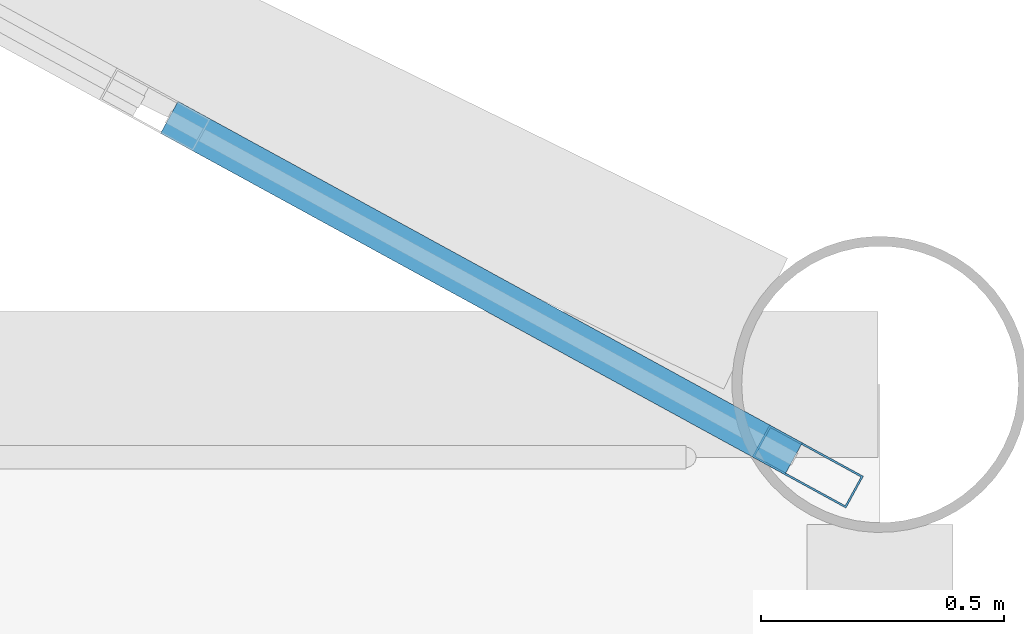
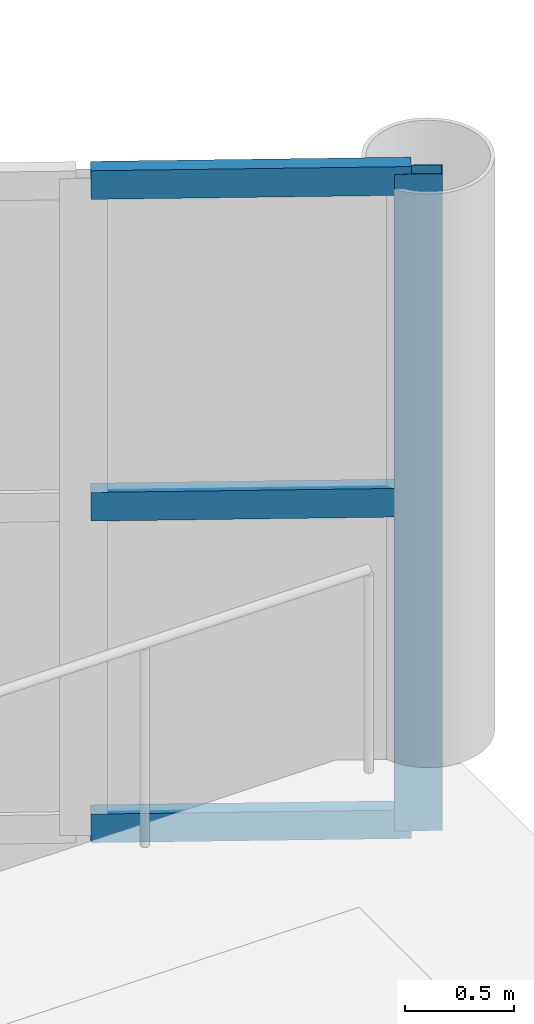
# One storey, part 74 of 134: 4 members, 1 element without a shape of its own.
"""IFC4 building model written with IfcOpenShell, lengths in metres."""

from ifc_helpers import new_model, si_unit, direction, frame, origin, origin_2d, place, context, subcontext, project, spatial, hollow_rectangle, extrude, material, layer, layer_set, material_profile, profile_set, type_object, element, aggregate, save


model = new_model("IFC4")

# Units and contexts
model_context = context("Model", 3, precision=1e-05, world=origin(), true_north=direction((0.0, 1.0)))
body_context = subcontext(model_context, "Body", "Model", "MODEL_VIEW")
ifc_project = project(units=[si_unit("LENGTHUNIT", "METRE"), si_unit("AREAUNIT", "SQUARE_METRE"), si_unit("VOLUMEUNIT", "CUBIC_METRE"), si_unit("PLANEANGLEUNIT", "RADIAN"), si_unit("MASSUNIT", "GRAM", prefix="KILO")], contexts=[model_context])

# Site, building, storey
site_placement = place(None, origin())
site = spatial("IfcSite", under=ifc_project, at=site_placement, CompositionType="ELEMENT")
building_placement = place(site_placement, origin())
building = spatial("IfcBuilding", under=site, at=building_placement, Name="Tamarisk Ironworks Central Station", CompositionType="ELEMENT")
storey_placement = place(building_placement, frame((0.0, 0.0, 12.60009765625)))
storey = spatial("IfcBuildingStorey", under=building, at=storey_placement, Name="L02", CompositionType="ELEMENT", Elevation=12.60009765625)

# Curtain wall, members
ifc_material = material(Name="Anodized aluminium alloy 6063-T6", Category="aluminium")
ifc_layer = layer(ifc_material, 0.179931640625)
ifc_layer_set = layer_set([ifc_layer], Name="Anodized aluminium alloy 6063-T6")
curtain_wall_type = type_object("IfcCurtainWallType", Name="CW-03", PredefinedType="USERDEFINED", material=ifc_layer_set)
curtain_wall_placement = place(storey_placement, origin())
curtain_wall = element("IfcCurtainWall", 1, at=curtain_wall_placement, inside=storey, type_object=curtain_wall_type, Name="NN rounded entrance hall L02 curtain wall bay 12", ObjectType="GLAZED CURTAIN WALL", PredefinedType="USERDEFINED")
ifc_material_profile_1 = material_profile(ifc_material, hollow_rectangle(XDim=0.074951171875, YDim=0.219970703125, WallThickness=0.00390625, at=origin_2d()), Name="ALUM 220x75")
ifc_profile_set_1 = profile_set([ifc_material_profile_1], Name="Anodized aluminium alloy 6063-T6")
member_type_1 = type_object("IfcMemberType", Name="CWM-01", PredefinedType="MULLION", material=ifc_profile_set_1)
member_1_placement = place(storey_placement, frame((107.851318359375, 111.430908203125, -0.385009765625), z_axis=(0.0, 0.0, 1.0), x_axis=(0.47980544644, 0.877374910495, 0.0)))
member_1 = element("IfcMember", 2, at=member_1_placement, type_object=member_type_1, Name="CW03 mullion 4", PredefinedType="MULLION", context=body_context, shape_type="SweptSolid", body=[
    extrude(hollow_rectangle(XDim=0.074951171875, YDim=0.219970703125, WallThickness=0.00390625, at=origin_2d()), origin(), (0.0, 0.0, 1.0), 3.664794921875),
])
ifc_material_profile_2 = material_profile(ifc_material, hollow_rectangle(XDim=0.074951171875, YDim=0.159912109375, WallThickness=0.00390625, at=origin_2d()), Name="ALUM 160x75")
ifc_profile_set_2 = profile_set([ifc_material_profile_2], Name="Anodized aluminium alloy 6063-T6")
member_type_2 = type_object("IfcMemberType", Name="CWT-01", PredefinedType="USERDEFINED", material=ifc_profile_set_2)
member_2_placement = place(storey_placement, frame((106.536376953125, 112.150146484375, -0.34765625), z_axis=(0.8773601803, -0.479832381174, 0.0), x_axis=(0.479832381174, 0.8773601803, 0.0)))
member_2 = element("IfcMember", 3, at=member_2_placement, type_object=member_type_2, Name="CW03 transom 3.1", ObjectType="TRANSOM", PredefinedType="USERDEFINED", context=body_context, shape_type="SweptSolid", body=[
    extrude(hollow_rectangle(XDim=0.074951171875, YDim=0.159912109375, WallThickness=0.00390625, at=origin_2d()), origin(), (0.0, 0.0, 1.0), 1.46533203125),
])
member_3_placement = place(storey_placement, frame((106.536376953125, 112.150146484375, 1.447509765625), z_axis=(0.8773601803, -0.479832381174, 0.0), x_axis=(0.479832381174, 0.8773601803, 0.0)))
member_3 = element("IfcMember", 4, at=member_3_placement, type_object=member_type_2, Name="CW03 transom 3.2", ObjectType="TRANSOM", PredefinedType="USERDEFINED", context=body_context, shape_type="SweptSolid", body=[
    extrude(hollow_rectangle(XDim=0.074951171875, YDim=0.159912109375, WallThickness=0.00390625, at=origin_2d()), origin(), (0.0, 0.0, 1.0), 1.46533203125),
])
member_4_placement = place(storey_placement, frame((106.536376953125, 112.150146484375, 3.242431640625), z_axis=(0.8773601803, -0.479832381174, 0.0), x_axis=(0.479832381174, 0.8773601803, 0.0)))
member_4 = element("IfcMember", 5, at=member_4_placement, type_object=member_type_2, Name="CW03 transom 3.3", ObjectType="TRANSOM", PredefinedType="USERDEFINED", context=body_context, shape_type="SweptSolid", body=[
    extrude(hollow_rectangle(XDim=0.074951171875, YDim=0.159912109375, WallThickness=0.00390625, at=origin_2d()), origin(), (0.0, 0.0, 1.0), 1.46533203125),
])
aggregate(curtain_wall, [member_1, member_2, member_3, member_4])

save(model, "model.ifc")
